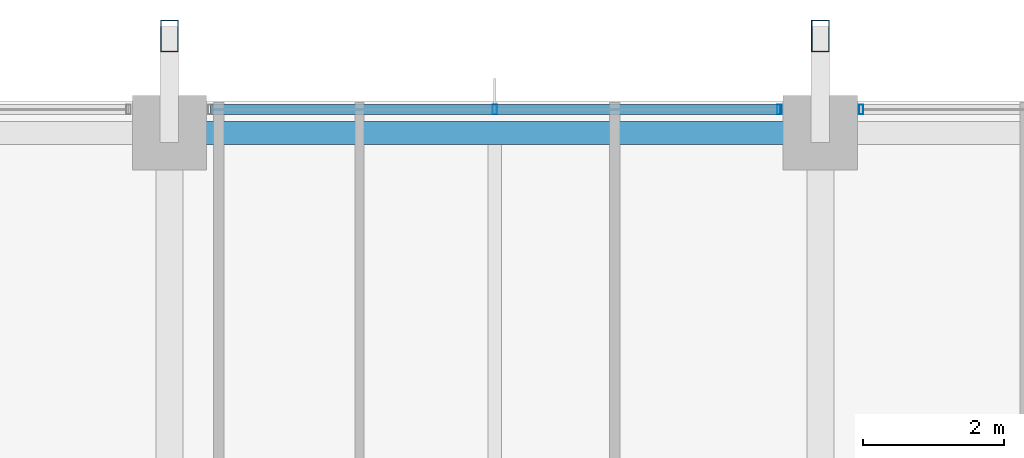
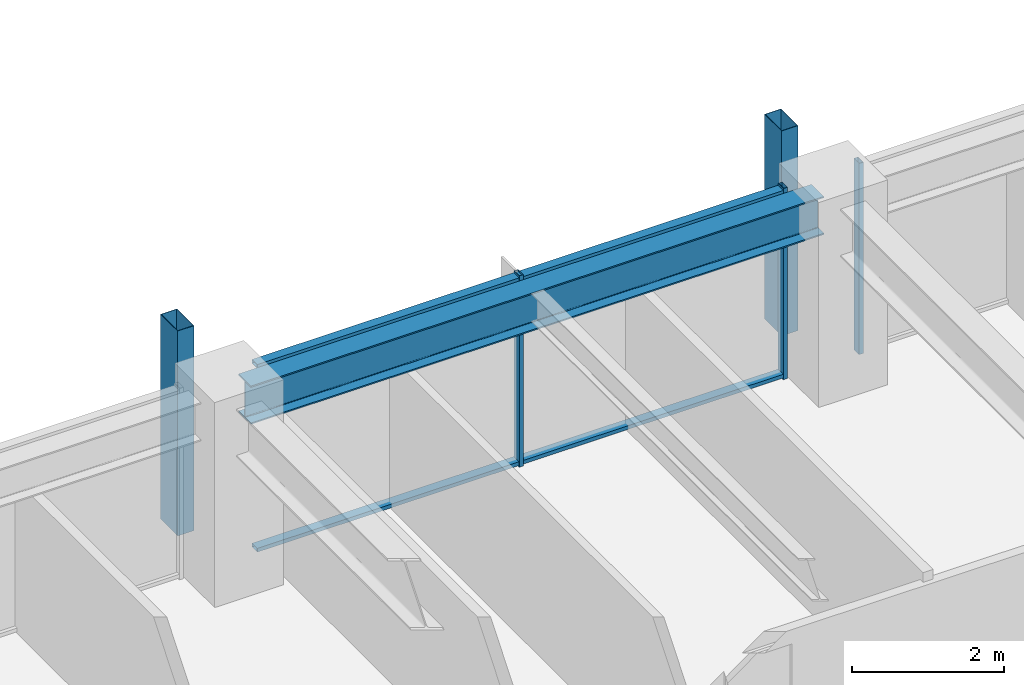
# One storey, part 21 of 37: 7 members, 1 beam, 2 elements without a shape of their own.
"""IFC4 building model written with IfcOpenShell, lengths in metres."""

from ifc_helpers import new_model, si_unit, direction, frame, origin, origin_2d, place, context, subcontext, project, spatial, hollow_rectangle, i_section, extrude, material, material_profile, profile_set, type_object, element, aggregate, save


model = new_model("IFC4")

# Units and contexts
model_context = context("Model", 3, precision=1e-05, world=origin(), true_north=direction((0.0, 1.0)))
body_context = subcontext(model_context, "Body", "Model", "MODEL_VIEW")
ifc_project = project(units=[si_unit("LENGTHUNIT", "METRE"), si_unit("AREAUNIT", "SQUARE_METRE"), si_unit("VOLUMEUNIT", "CUBIC_METRE"), si_unit("PLANEANGLEUNIT", "RADIAN"), si_unit("MASSUNIT", "GRAM", prefix="KILO")], contexts=[model_context])

# Site, building, storey
site_placement = place(None, origin())
site = spatial("IfcSite", under=ifc_project, at=site_placement, CompositionType="ELEMENT")
building_placement = place(site_placement, origin())
building = spatial("IfcBuilding", under=site, at=building_placement, Name="Kolvaren Belvedere", CompositionType="ELEMENT")
storey_placement = place(building_placement, frame((0.0, 0.0, 82.10009765625)))
storey = spatial("IfcBuildingStorey", under=building, at=storey_placement, Name="L23", CompositionType="ELEMENT", Elevation=82.10009765625)

# Beam
ifc_material_1 = material(Name="Structural steel ASTM A992 Grade 50", Category="steel")
ifc_material_profile_1 = material_profile(ifc_material_1, i_section(OverallWidth=0.324951171875, OverallDepth=0.615966796875, WebThickness=0.013916015625, FlangeThickness=0.021484375, FilletRadius=0.02001953125, at=origin_2d()), Name="W24X117")
ifc_profile_set_1 = profile_set([ifc_material_profile_1], Name="Structural steel ASTM A992 Grade 50")
beam_type = type_object("IfcBeamType", Name="BM-SPAN-W24X117", PredefinedType="SPANDREL", material=ifc_profile_set_1)
beam_placement = place(storey_placement, frame((4.36376953125, 19.949951171875, 2.77197265625), z_axis=(-1.0, 0.0, 0.0), x_axis=(0.0, -1.0, 0.0)))
element("IfcBeam", 1, at=beam_placement, inside=storey, type_object=beam_type, Name="L23 Perimeter Spandrel N3-N2", PredefinedType="SPANDREL", context=body_context, shape_type="SweptSolid", body=[
    extrude(i_section(OverallWidth=0.324951171875, OverallDepth=0.615966796875, WebThickness=0.013916015625, FlangeThickness=0.021484375, FilletRadius=0.02001953125, at=origin_2d()), origin(), (0.0, 0.0, 1.0), 8.7275390625),
])

# Curtain wall, members
ifc_material_2 = material(Name="Anodised pale-metal aluminium AA 6063-T6", Category="aluminium")
curtain_wall_type = type_object("IfcCurtainWallType", Name="CW-Z2-MID", PredefinedType="NOTDEFINED", material=ifc_material_2)
curtain_wall_1_placement = place(storey_placement, origin())
curtain_wall_1 = element("IfcCurtainWall", 2, at=curtain_wall_1_placement, inside=storey, type_object=curtain_wall_type, Name="L23 Unitised Curtain Wall FCW-L23-N-B2", PredefinedType="NOTDEFINED")
ifc_material_3 = material(Name="Anodised pale-metal aluminium AA 6063-T6", Category="aluminium")
ifc_material_profile_2 = material_profile(ifc_material_3, hollow_rectangle(XDim=0.06494140625, YDim=0.139892578125, WallThickness=0.00390625, at=origin_2d()), Name="ALU-MUL-140X65")
ifc_profile_set_2 = profile_set([ifc_material_profile_2], Name="Anodised pale-metal aluminium AA 6063-T6")
member_type_1 = type_object("IfcMemberType", Name="CW-MUL-140", PredefinedType="MULLION", material=ifc_profile_set_2)
member_1_placement = place(storey_placement, frame((0.0, 20.280029296875, 0.0), z_axis=(0.0, 0.0, 1.0), x_axis=(1.0, 0.0, 0.0)))
member_1 = element("IfcMember", 3, at=member_1_placement, type_object=member_type_1, Name="FCW-L23-N-B2 Unitised Mullion 2", PredefinedType="MULLION", context=body_context, shape_type="SweptSolid", body=[
    extrude(hollow_rectangle(XDim=0.06494140625, YDim=0.139892578125, WallThickness=0.00390625, at=origin_2d()), origin(), (0.0, 0.0, 1.0), 3.079833984375),
])
member_2_placement = place(storey_placement, frame((4.0224609375, 20.280029296875, 0.0), z_axis=(0.0, 0.0, 1.0), x_axis=(1.0, 0.0, 0.0)))
member_2 = element("IfcMember", 4, at=member_2_placement, type_object=member_type_1, Name="FCW-L23-N-B2 Unitised Mullion 3", PredefinedType="MULLION", context=body_context, shape_type="SweptSolid", body=[
    extrude(hollow_rectangle(XDim=0.06494140625, YDim=0.139892578125, WallThickness=0.00390625, at=origin_2d()), origin(), (0.0, 0.0, 1.0), 3.079833984375),
])

# Curtain wall, member
curtain_wall_2_placement = place(storey_placement, origin())
curtain_wall_2 = element("IfcCurtainWall", 5, at=curtain_wall_2_placement, inside=storey, type_object=curtain_wall_type, Name="L23 Unitised Curtain Wall FCW-L23-N-B3", PredefinedType="NOTDEFINED")
member_3_placement = place(storey_placement, frame((5.177490234375, 20.280029296875, 0.0), z_axis=(0.0, 0.0, 1.0), x_axis=(1.0, 0.0, 0.0)))
member_3 = element("IfcMember", 6, at=member_3_placement, type_object=member_type_1, Name="FCW-L23-N-B3 Unitised Mullion 1", PredefinedType="MULLION", context=body_context, shape_type="SweptSolid", body=[
    extrude(hollow_rectangle(XDim=0.06494140625, YDim=0.139892578125, WallThickness=0.00390625, at=origin_2d()), origin(), (0.0, 0.0, 1.0), 3.079833984375),
])
aggregate(curtain_wall_2, [member_3])

# Member
ifc_material_4 = material(Name="Anodised pale-metal aluminium AA 6063-T6", Category="aluminium")
ifc_material_profile_3 = material_profile(ifc_material_4, hollow_rectangle(XDim=0.06005859375, YDim=0.139892578125, WallThickness=0.00390625, at=origin_2d()), Name="ALU-TRN-140X60")
ifc_profile_set_3 = profile_set([ifc_material_profile_3], Name="Anodised pale-metal aluminium AA 6063-T6")
member_type_2 = type_object("IfcMemberType", Name="CW-TRN-140", PredefinedType="USERDEFINED", material=ifc_profile_set_3)
member_4_placement = place(storey_placement, frame((-4.0224609375, 20.280029296875, 0.059814453125), z_axis=(1.0, 0.0, 0.0), x_axis=(0.0, 0.0, 1.0)))
member_4 = element("IfcMember", 7, at=member_4_placement, type_object=member_type_2, Name="FCW-L23-N-B2 Sill Transom", ObjectType="TRANSOM", PredefinedType="USERDEFINED", context=body_context, shape_type="SweptSolid", body=[
    extrude(hollow_rectangle(XDim=0.06005859375, YDim=0.139892578125, WallThickness=0.00390625, at=origin_2d()), origin(), (0.0, 0.0, 1.0), 8.044921875),
])

member_5_placement = place(storey_placement, frame((-4.0224609375, 20.280029296875, 3.02001953125), z_axis=(1.0, 0.0, 0.0), x_axis=(0.0, 0.0, 1.0)))
member_5 = element("IfcMember", 8, at=member_5_placement, type_object=member_type_2, Name="FCW-L23-N-B2 Head Transom", ObjectType="TRANSOM", PredefinedType="USERDEFINED", context=body_context, shape_type="SweptSolid", body=[
    extrude(hollow_rectangle(XDim=0.06005859375, YDim=0.139892578125, WallThickness=0.00390625, at=origin_2d()), origin(), (0.0, 0.0, 1.0), 8.044921875),
])

aggregate(curtain_wall_1, [member_1, member_2, member_4, member_5])

# Members
ifc_material_5 = material(Name="Anodised pale-metal aluminium AA 6063-T6", Category="aluminium")
ifc_material_profile_4 = material_profile(ifc_material_5, hollow_rectangle(XDim=0.25, YDim=0.449951171875, WallThickness=0.008544921875, at=origin_2d()), Name="ALU-PF-450X250")
ifc_profile_set_4 = profile_set([ifc_material_profile_4], Name="Anodised pale-metal aluminium AA 6063-T6")
member_type_3 = type_object("IfcMemberType", Name="PF-FRAME-450", PredefinedType="USERDEFINED", material=ifc_profile_set_4)
for number, where, z_axis, x_axis, name in (
    (9, (-4.60009765625, 21.320068359375, 0.0), (0.0, 0.0, 1.0), (1.0, 0.0, 0.0), "L23 Outboard Picture-Frame Vertical N1"),
    (10, (4.60009765625, 21.320068359375, 0.0), (0.0, 0.0, 1.0), (1.0, 0.0, 0.0), "L23 Outboard Picture-Frame Vertical N2"),
):
    element("IfcMember", number, at=place(storey_placement, frame(where, z_axis=z_axis, x_axis=x_axis)), inside=storey, type_object=member_type_3, Name=name, ObjectType="PICTURE FRAME FIN", PredefinedType="USERDEFINED", context=body_context, shape_type="SweptSolid", body=[
        extrude(hollow_rectangle(XDim=0.25, YDim=0.449951171875, WallThickness=0.008544921875, at=origin_2d()), origin(), (0.0, 0.0, 1.0), 3.2998046875),
    ])

save(model, "model.ifc")
